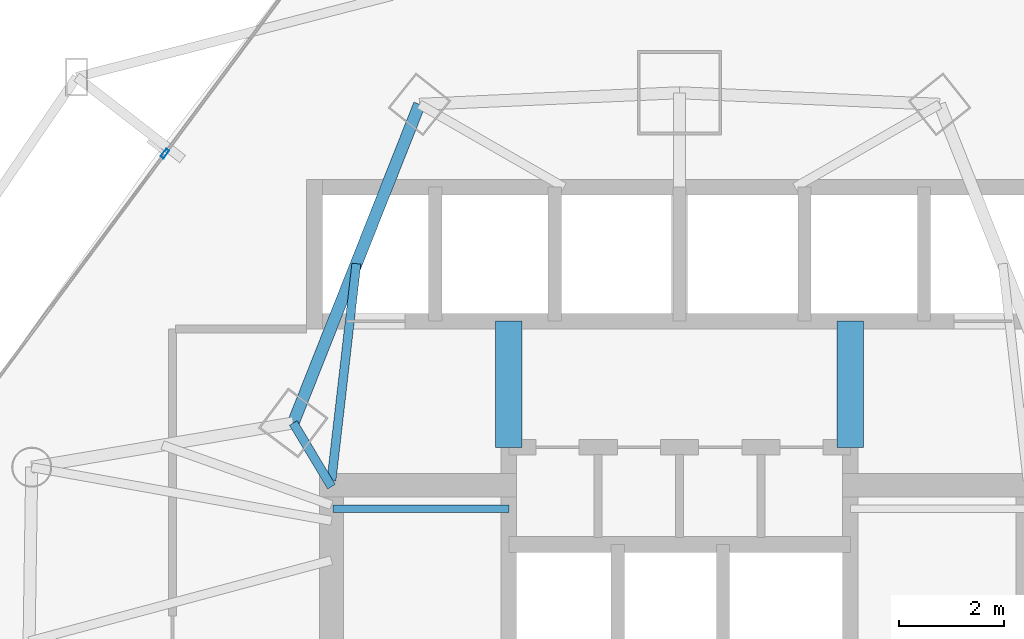
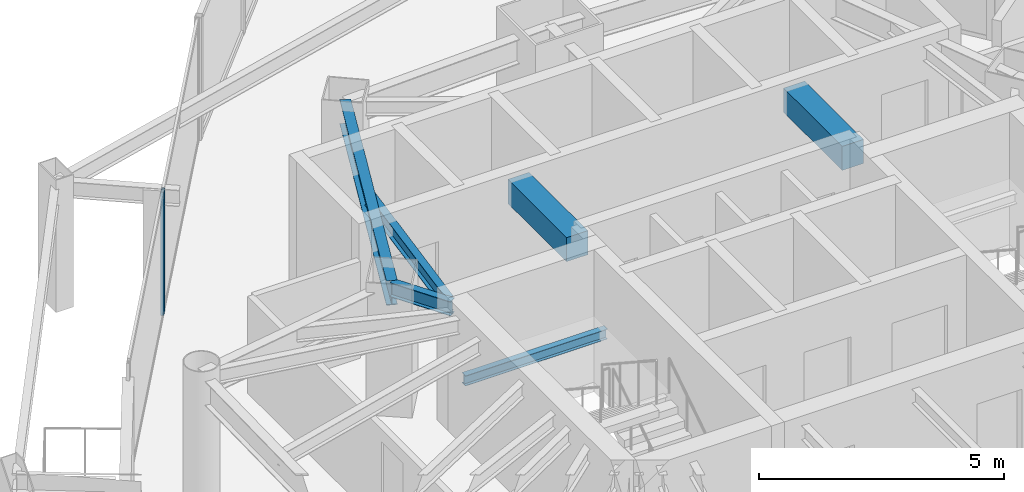
# One storey, part 21 of 34: 6 beams, 1 member, 1 element without a shape of its own.
"""IFC4 building model written with IfcOpenShell, lengths in metres."""

from ifc_helpers import new_model, si_unit, direction, frame, origin, origin_2d, place, context, subcontext, project, spatial, rectangle, hollow_rectangle, i_section, extrude, material, layer, layer_set, material_profile, profile_set, type_object, element, aggregate, save


model = new_model("IFC4")

# Units and contexts
model_context = context("Model", 3, precision=1e-05, world=origin(), true_north=direction((0.0, 1.0)))
body_context = subcontext(model_context, "Body", "Model", "MODEL_VIEW")
ifc_project = project(units=[si_unit("LENGTHUNIT", "METRE"), si_unit("AREAUNIT", "SQUARE_METRE"), si_unit("VOLUMEUNIT", "CUBIC_METRE"), si_unit("PLANEANGLEUNIT", "RADIAN"), si_unit("MASSUNIT", "GRAM", prefix="KILO")], contexts=[model_context])

# Site, building, storey
site_placement = place(None, origin())
site = spatial("IfcSite", under=ifc_project, at=site_placement, CompositionType="ELEMENT")
building_placement = place(site_placement, origin())
building = spatial("IfcBuilding", under=site, at=building_placement, Name="Orvanel Arch Residences", CompositionType="ELEMENT")
storey_placement = place(building_placement, frame((0.0, 0.0, 74.14990234375)))
storey = spatial("IfcBuildingStorey", under=building, at=storey_placement, Name="L20", CompositionType="ELEMENT", Elevation=74.14990234375)

# Beams
ifc_material_1 = material(Name="Structural steel AS/NZS 3679.1 Grade 300 (300 MPa)", Category="steel")
ifc_material_profile_1 = material_profile(ifc_material_1, i_section(OverallWidth=0.14599609375, OverallDepth=0.251953125, WebThickness=0.006103515625, FlangeThickness=0.008544921875, at=origin_2d()), Name="250UB31.4")
ifc_profile_set_1 = profile_set([ifc_material_profile_1], Name="Structural steel AS/NZS 3679.1 Grade 300 (300 MPa)")
beam_type_1 = type_object("IfcBeamType", Name="BJ-250UB", PredefinedType="JOIST", material=ifc_profile_set_1)
beam_1_placement = place(storey_placement, frame((26.39990234375, 33.47998046875, 1.32421875), z_axis=(1.0, 0.0, 0.0), x_axis=(0.0, 1.0, 0.0)))
element("IfcBeam", 1, at=beam_1_placement, inside=storey, type_object=beam_type_1, Name="L20 ST-1 Half-Landing Support Beam 1.2", PredefinedType="JOIST", context=body_context, shape_type="SweptSolid", body=[
    extrude(i_section(OverallWidth=0.14599609375, OverallDepth=0.251953125, WebThickness=0.006103515625, FlangeThickness=0.008544921875, at=origin_2d()), origin(), (0.0, 0.0, 1.0), 3.35009765625),
])
ifc_material_profile_2 = material_profile(ifc_material_1, i_section(OverallWidth=0.1708984375, OverallDepth=0.35595703125, WebThickness=0.00732421875, FlangeThickness=0.011474609375, at=origin_2d()), Name="360UB50.7")
ifc_profile_set_2 = profile_set([ifc_material_profile_2], Name="Structural steel AS/NZS 3679.1 Grade 300 (300 MPa)")
beam_type_2 = type_object("IfcBeamType", Name="BJ-360UB", PredefinedType="JOIST", material=ifc_profile_set_2)
beam_2_placement = place(storey_placement, frame((26.375, 33.89990234375, 2.882080078125), z_axis=(-0.514064138778, 0.857751748015, 0.0), x_axis=(-0.857751748015, -0.514064138778, 0.0)))
element("IfcBeam", 2, at=beam_2_placement, inside=storey, type_object=beam_type_2, Name="L20 NNW Wing Floor Joist", PredefinedType="JOIST", context=body_context, shape_type="SweptSolid", body=[
    extrude(i_section(OverallWidth=0.1708984375, OverallDepth=0.35595703125, WebThickness=0.00732421875, FlangeThickness=0.011474609375, at=origin_2d()), origin(), (0.0, 0.0, 1.0), 1.414306640625),
])
beam_3_placement = place(storey_placement, frame((26.375, 34.02001953125, 2.882080078125), z_axis=(0.114186670431, 0.993459311847, 0.0), x_axis=(-0.993459311847, 0.114186670431, 0.0)))
element("IfcBeam", 3, at=beam_3_placement, inside=storey, type_object=beam_type_2, Name="L20 NNW2 Wing Floor Joist", PredefinedType="JOIST", context=body_context, shape_type="SweptSolid", body=[
    extrude(i_section(OverallWidth=0.1708984375, OverallDepth=0.35595703125, WebThickness=0.00732421875, FlangeThickness=0.011474609375, at=origin_2d()), origin(), (0.0, 0.0, 1.0), 4.152099609375),
])
ifc_material_2 = material(Name="Concrete S65 (65 MPa)", Category="concrete")
ifc_material_profile_3 = material_profile(ifc_material_2, rectangle(XDim=0.5, YDim=0.60009765625, at=origin_2d()), Name="RC500x600")
ifc_profile_set_3 = profile_set([ifc_material_profile_3], Name="Concrete S65 (65 MPa)")
beam_type_3 = type_object("IfcBeamType", Name="CB-500x600", PredefinedType="LINTEL", material=ifc_profile_set_3)
for number, where, z_axis, x_axis, name in (
    (4, (29.75, 34.64990234375, 2.760009765625), (0.0, 1.0, 0.0), (-1.0, 0.0, 0.0), "L20 West Core Lobby Coupling Lintel Beam"),
    (5, (36.25, 34.64990234375, 2.760009765625), (0.0, 1.0, 0.0), (-1.0, 0.0, 0.0), "L20 East Core Lobby Coupling Lintel Beam"),
):
    element("IfcBeam", number, at=place(storey_placement, frame(where, z_axis=z_axis, x_axis=x_axis)), inside=storey, type_object=beam_type_3, Name=name, PredefinedType="LINTEL", context=body_context, shape_type="SweptSolid", body=[
        extrude(rectangle(XDim=0.5, YDim=0.60009765625, at=origin_2d()), origin(), (0.0, 0.0, 1.0), 2.400146484375),
    ])

# Curtain wall, member
ifc_material_3 = material(Name="Bronze-anodised aluminium AA6063-T6", Category="aluminium")
ifc_layer = layer(ifc_material_3, 0.179931640625)
ifc_layer_set = layer_set([ifc_layer], Name="Bronze-anodised aluminium AA6063-T6")
curtain_wall_type = type_object("IfcCurtainWallType", Name="CW2-LOW-SYS", PredefinedType="NOTDEFINED", material=ifc_layer_set)
curtain_wall_placement = place(storey_placement, origin())
curtain_wall = element("IfcCurtainWall", 6, at=curtain_wall_placement, inside=storey, type_object=curtain_wall_type, Name="L20 CW2-LOW-SYS Unitised Curtain Wall", PredefinedType="NOTDEFINED")
ifc_material_profile_4 = material_profile(ifc_material_3, hollow_rectangle(XDim=0.070068359375, YDim=0.179931640625, WallThickness=0.00439453125, at=origin_2d()), Name="ALU180x70x4.5")
ifc_profile_set_4 = profile_set([ifc_material_profile_4], Name="Bronze-anodised aluminium AA6063-T6")
member_type = type_object("IfcMemberType", Name="MUL-180x70", PredefinedType="MULLION", material=ifc_profile_set_4)
member_placement = place(storey_placement, frame((23.2041015625, 40.239013671875, 0.0), z_axis=(0.0, 0.0, 1.0), x_axis=(0.802859489606, -0.596168298343, 0.0)))
member = element("IfcMember", 7, at=member_placement, type_object=member_type, Name="CW-S2 mullion 2", PredefinedType="MULLION", context=body_context, shape_type="SweptSolid", body=[
    extrude(hollow_rectangle(XDim=0.070068359375, YDim=0.179931640625, WallThickness=0.00439453125, at=origin_2d()), origin(), (0.0, 0.0, 1.0), 3.06005859375),
])
aggregate(curtain_wall, [member])

# Beam
ifc_material_profile_5 = material_profile(ifc_material_1, i_section(OverallWidth=0.22900390625, OverallDepth=0.612060546875, WebThickness=0.011962890625, FlangeThickness=0.01953125, at=origin_2d()), Name="610UB125")
ifc_profile_set_5 = profile_set([ifc_material_profile_5], Name="Structural steel AS/NZS 3679.1 Grade 300 (300 MPa)")
beam_type_4 = type_object("IfcBeamType", Name="SP-610UB", PredefinedType="SPANDREL", material=ifc_profile_set_5)
beam_4_placement = place(storey_placement, frame((28.050048828125, 41.177978515625, 2.754150390625), z_axis=(-0.368233143579, -0.929733484376, 0.0), x_axis=(0.929733484376, -0.368233143579, 0.0)))
element("IfcBeam", 8, at=beam_4_placement, inside=storey, type_object=beam_type_4, Name="L20 Perimeter Spandrel Beam 18", PredefinedType="SPANDREL", context=body_context, shape_type="SweptSolid", body=[
    extrude(i_section(OverallWidth=0.22900390625, OverallDepth=0.612060546875, WebThickness=0.011962890625, FlangeThickness=0.01953125, at=origin_2d()), origin(), (0.0, 0.0, 1.0), 6.523193359375),
])

save(model, "model.ifc")
